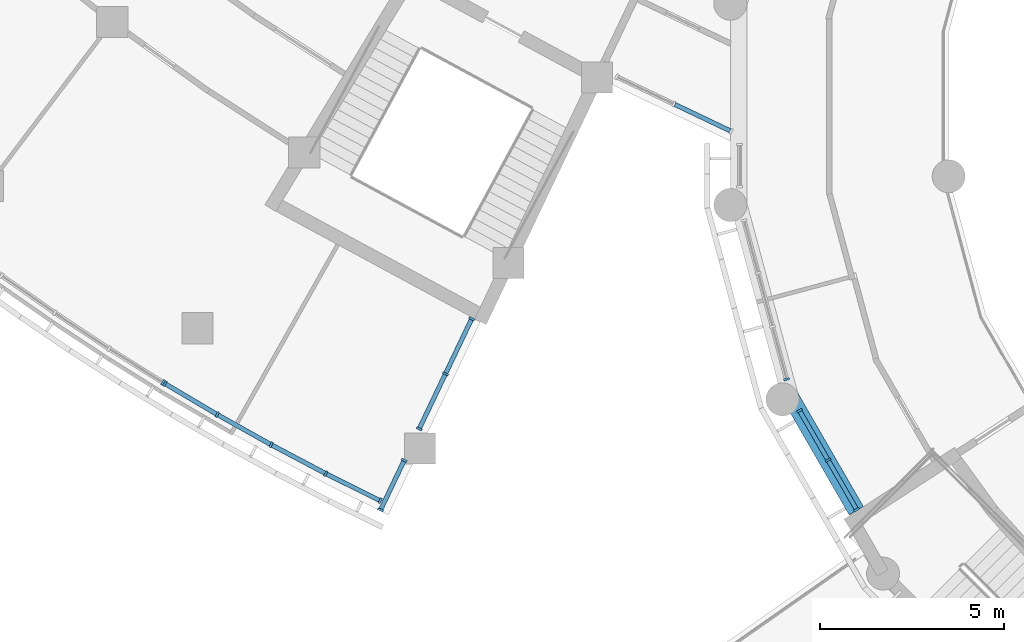
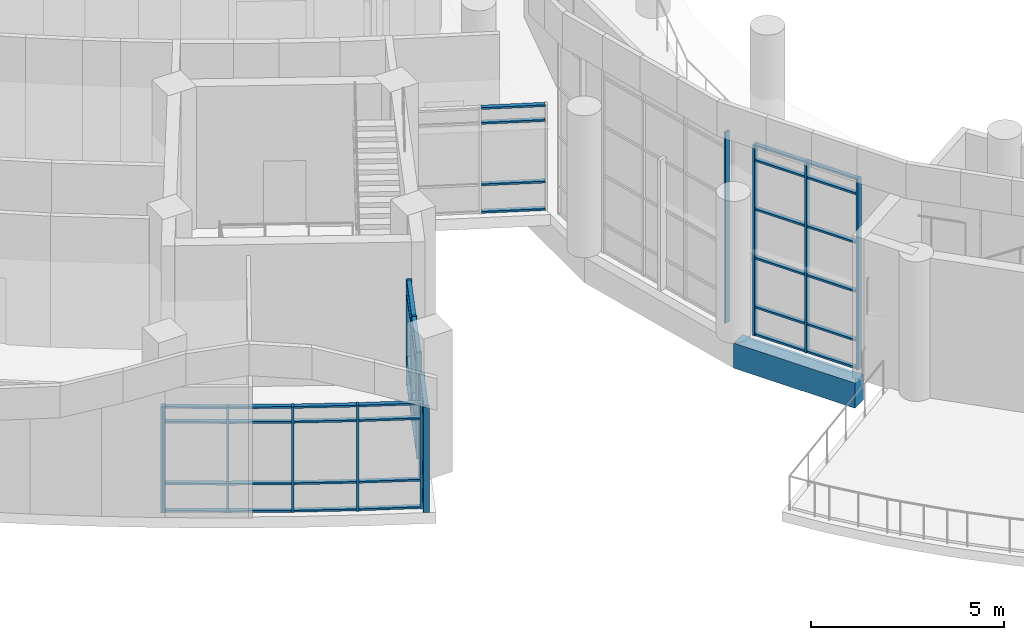
# One storey, part 11 of 136: 59 members, 1 beam, 7 elements without a shape of their own.
"""IFC4 building model written with IfcOpenShell, lengths in metres."""

from ifc_helpers import new_model, si_unit, direction, frame, origin, origin_2d, place, context, subcontext, project, spatial, rectangle, extrude, material, material_profile, profile_set, type_object, element, aggregate, save


model = new_model("IFC4")

# Units and contexts
model_context = context("Model", 3, precision=1e-05, world=origin(), true_north=direction((0.0, 1.0)))
body_context = subcontext(model_context, "Body", "Model", "MODEL_VIEW")
ifc_project = project(units=[si_unit("LENGTHUNIT", "METRE"), si_unit("AREAUNIT", "SQUARE_METRE"), si_unit("VOLUMEUNIT", "CUBIC_METRE"), si_unit("PLANEANGLEUNIT", "RADIAN"), si_unit("MASSUNIT", "GRAM", prefix="KILO")], contexts=[model_context])

# Site, building, storey
site_placement = place(None, origin())
site = spatial("IfcSite", under=ifc_project, at=site_placement, CompositionType="ELEMENT")
building_placement = place(site_placement, origin())
building = spatial("IfcBuilding", under=site, at=building_placement, Name="Bougainvillea Quay General Hospital", CompositionType="ELEMENT")
storey_placement = place(building_placement, frame((0.0, 0.0, 5.39990234375)))
storey = spatial("IfcBuildingStorey", under=building, at=storey_placement, Name="L01", CompositionType="ELEMENT", Elevation=5.39990234375)

# Curtain wall, members
ifc_material_1 = material(Name="Aluminium curtain wall system, powder-coated glazed", Category="aluminium")
curtain_wall_type_1 = type_object("IfcCurtainWallType", Name="Unitised curtain wall CW-2100", PredefinedType="NOTDEFINED", material=ifc_material_1)
curtain_wall_1_placement = place(storey_placement, origin())
curtain_wall_1 = element("IfcCurtainWall", 1, at=curtain_wall_1_placement, inside=storey, type_object=curtain_wall_type_1, Name="CW-W01 a01b0", PredefinedType="NOTDEFINED")
ifc_material_2 = material(Name="Aluminium mullion, powder-coated charcoal", Category="aluminium")
ifc_material_profile_1 = material_profile(ifc_material_2, rectangle(XDim=0.159912109375, YDim=0.06005859375, at=origin_2d()))
ifc_profile_set_1 = profile_set([ifc_material_profile_1], Name="Aluminium mullion, powder-coated charcoal")
member_type_1 = type_object("IfcMemberType", Name="Curtain wall mullion 160x60", PredefinedType="MULLION", material=ifc_profile_set_1)
member_1_placement = place(storey_placement, frame((78.83935546875, 63.204833984375, 0.0), z_axis=(0.0, 0.0, 1.0), x_axis=(-0.445731386172, -0.895166761772, 0.0)))
member_1 = element("IfcMember", 2, at=member_1_placement, type_object=member_type_1, Name="CW-W01 mullion 1", PredefinedType="MULLION", context=body_context, shape_type="SweptSolid", body=[
    extrude(rectangle(XDim=0.159912109375, YDim=0.06005859375, at=origin_2d()), origin(), (0.0, 0.0, 1.0), 3.35009765625),
])
member_2_placement = place(storey_placement, frame((77.358642578125, 63.94189453125, 0.0), z_axis=(0.0, 0.0, 1.0), x_axis=(-0.456505398476, -0.889720642203, 0.0)))
member_2 = element("IfcMember", 3, at=member_2_placement, type_object=member_type_1, Name="CW-W01 mullion 2", PredefinedType="MULLION", context=body_context, shape_type="SweptSolid", body=[
    extrude(rectangle(XDim=0.159912109375, YDim=0.06005859375, at=origin_2d()), origin(), (0.0, 0.0, 1.0), 3.35009765625),
])
member_3_placement = place(storey_placement, frame((75.869873046875, 64.728759765625, 0.0), z_axis=(0.0, 0.0, 1.0), x_axis=(-0.477852269892, -0.878440213195, 0.0)))
member_3 = element("IfcMember", 4, at=member_3_placement, type_object=member_type_1, Name="CW-W01 mullion 3", PredefinedType="MULLION", context=body_context, shape_type="SweptSolid", body=[
    extrude(rectangle(XDim=0.159912109375, YDim=0.06005859375, at=origin_2d()), origin(), (0.0, 0.0, 1.0), 3.35009765625),
])
member_4_placement = place(storey_placement, frame((74.400390625, 65.55126953125, 0.0), z_axis=(0.0, 0.0, 1.0), x_axis=(-0.498920583541, -0.866647708887, 0.0)))
member_4 = element("IfcMember", 5, at=member_4_placement, type_object=member_type_1, Name="CW-W01 mullion 4", PredefinedType="MULLION", context=body_context, shape_type="SweptSolid", body=[
    extrude(rectangle(XDim=0.159912109375, YDim=0.06005859375, at=origin_2d()), origin(), (0.0, 0.0, 1.0), 3.35009765625),
])
member_5_placement = place(storey_placement, frame((72.976806640625, 66.393798828125, 0.0), z_axis=(0.0, 0.0, 1.0), x_axis=(-0.509346436695, -0.860561565158, 0.0)))
member_5 = element("IfcMember", 6, at=member_5_placement, type_object=member_type_1, Name="CW-W01 mullion 5", PredefinedType="MULLION", context=body_context, shape_type="SweptSolid", body=[
    extrude(rectangle(XDim=0.159912109375, YDim=0.06005859375, at=origin_2d()), origin(), (0.0, 0.0, 1.0), 3.35009765625),
])

# Curtain wall, member
curtain_wall_2_placement = place(storey_placement, origin())
curtain_wall_2 = element("IfcCurtainWall", 7, at=curtain_wall_2_placement, inside=storey, type_object=curtain_wall_type_1, Name="CW-W02 a01b1", PredefinedType="NOTDEFINED")
member_6_placement = place(storey_placement, frame((72.925537109375, 66.425048828125, 0.0), z_axis=(0.0, 0.0, 1.0), x_axis=(-0.530488991968, -0.847691824545, 0.0)))
member_6 = element("IfcMember", 8, at=member_6_placement, type_object=member_type_1, Name="CW-W02 mullion 1", PredefinedType="MULLION", context=body_context, shape_type="SweptSolid", body=[
    extrude(rectangle(XDim=0.159912109375, YDim=0.06005859375, at=origin_2d()), origin(), (0.0, 0.0, 1.0), 3.35009765625),
])
aggregate(curtain_wall_2, [member_6])

# Curtain wall, members
curtain_wall_type_2 = type_object("IfcCurtainWallType", Name="Unitised curtain wall CW-1555", PredefinedType="NOTDEFINED", material=ifc_material_1)
curtain_wall_3_placement = place(storey_placement, origin())
curtain_wall_3 = element("IfcCurtainWall", 9, at=curtain_wall_3_placement, inside=storey, type_object=curtain_wall_type_2, Name="CW-AE 00", PredefinedType="NOTDEFINED")
member_7_placement = place(storey_placement, frame((78.851318359375, 62.95361328125, 0.0), z_axis=(0.0, 0.0, 1.0), x_axis=(-0.902576055431, 0.430530445105, 0.0)))
member_7 = element("IfcMember", 10, at=member_7_placement, type_object=member_type_1, Name="CW-AE mullion 1", PredefinedType="MULLION", context=body_context, shape_type="SweptSolid", body=[
    extrude(rectangle(XDim=0.159912109375, YDim=0.06005859375, at=origin_2d()), origin(), (0.0, 0.0, 1.0), 3.35009765625),
])
member_8_placement = place(storey_placement, frame((79.494873046875, 64.302978515625, 0.0), z_axis=(0.0, 0.0, 1.0), x_axis=(-0.902576055431, 0.430530445105, 0.0)))
member_8 = element("IfcMember", 11, at=member_8_placement, type_object=member_type_1, Name="CW-AE mullion 2", PredefinedType="MULLION", context=body_context, shape_type="SweptSolid", body=[
    extrude(rectangle(XDim=0.159912109375, YDim=0.06005859375, at=origin_2d()), origin(), (0.0, 0.0, 1.0), 3.35009765625),
])

curtain_wall_type_3 = type_object("IfcCurtainWallType", Name="Unitised curtain wall CW-1691", PredefinedType="NOTDEFINED", material=ifc_material_1)
curtain_wall_4_placement = place(storey_placement, origin())
curtain_wall_4 = element("IfcCurtainWall", 12, at=curtain_wall_4_placement, inside=storey, type_object=curtain_wall_type_3, Name="CW-AE 01", PredefinedType="NOTDEFINED")
member_9_placement = place(storey_placement, frame((79.90380859375, 65.160400390625, 0.0), z_axis=(0.0, 0.0, 1.0), x_axis=(-0.902576055431, 0.430530445105, 0.0)))
member_9 = element("IfcMember", 13, at=member_9_placement, type_object=member_type_1, Name="CW-AE mullion 1", PredefinedType="MULLION", context=body_context, shape_type="SweptSolid", body=[
    extrude(rectangle(XDim=0.159912109375, YDim=0.06005859375, at=origin_2d()), origin(), (0.0, 0.0, 1.0), 3.35009765625),
])
member_10_placement = place(storey_placement, frame((80.61865234375, 66.658935546875, 0.0), z_axis=(0.0, 0.0, 1.0), x_axis=(-0.902576055431, 0.430530445105, 0.0)))
member_10 = element("IfcMember", 14, at=member_10_placement, type_object=member_type_1, Name="CW-AE mullion 2", PredefinedType="MULLION", context=body_context, shape_type="SweptSolid", body=[
    extrude(rectangle(XDim=0.159912109375, YDim=0.06005859375, at=origin_2d()), origin(), (0.0, 0.0, 1.0), 3.35009765625),
])
member_11_placement = place(storey_placement, frame((81.33349609375, 68.157470703125, 0.0), z_axis=(0.0, 0.0, 1.0), x_axis=(-0.902576055431, 0.430530445105, 0.0)))
member_11 = element("IfcMember", 15, at=member_11_placement, type_object=member_type_1, Name="CW-AE mullion 3", PredefinedType="MULLION", context=body_context, shape_type="SweptSolid", body=[
    extrude(rectangle(XDim=0.159912109375, YDim=0.06005859375, at=origin_2d()), origin(), (0.0, 0.0, 1.0), 3.35009765625),
])

# Curtain wall, member
curtain_wall_type_4 = type_object("IfcCurtainWallType", Name="Unitised curtain wall CW-1514", PredefinedType="NOTDEFINED", material=ifc_material_1)
curtain_wall_5_placement = place(storey_placement, origin())
curtain_wall_5 = element("IfcCurtainWall", 16, at=curtain_wall_5_placement, inside=storey, type_object=curtain_wall_type_4, Name="CW-D 00", PredefinedType="NOTDEFINED")
member_12_placement = place(storey_placement, frame((89.9111328125, 66.51171875, 0.0), z_axis=(0.0, 0.0, 1.0), x_axis=(0.965916292974, 0.258854621298, 0.0)))
member_12 = element("IfcMember", 17, at=member_12_placement, type_object=member_type_1, Name="CW-D mullion 4", PredefinedType="MULLION", context=body_context, shape_type="SweptSolid", body=[
    extrude(rectangle(XDim=0.159912109375, YDim=0.06005859375, at=origin_2d()), origin(), (0.0, 0.0, 1.0), 6.050048828125),
])
aggregate(curtain_wall_5, [member_12])

# Curtain wall, members
curtain_wall_type_5 = type_object("IfcCurtainWallType", Name="Unitised curtain wall CW-1585", PredefinedType="NOTDEFINED", material=ifc_material_1)
curtain_wall_6_placement = place(storey_placement, origin())
curtain_wall_6 = element("IfcCurtainWall", 18, at=curtain_wall_6_placement, inside=storey, type_object=curtain_wall_type_5, Name="CW-D 00", PredefinedType="NOTDEFINED")
member_13_placement = place(storey_placement, frame((90.265380859375, 65.656005859375, 0.0), z_axis=(0.0, 0.0, 1.0), x_axis=(0.866045865692, 0.499964557262, 0.0)))
member_13 = element("IfcMember", 19, at=member_13_placement, type_object=member_type_1, Name="CW-D mullion 1", PredefinedType="MULLION", context=body_context, shape_type="SweptSolid", body=[
    extrude(rectangle(XDim=0.159912109375, YDim=0.06005859375, at=origin_2d()), origin(), (0.0, 0.0, 1.0), 6.050048828125),
])
member_14_placement = place(storey_placement, frame((91.04296875, 64.309326171875, 0.0), z_axis=(0.0, 0.0, 1.0), x_axis=(0.866045865692, 0.499964557262, 0.0)))
member_14 = element("IfcMember", 20, at=member_14_placement, type_object=member_type_1, Name="CW-D mullion 2", PredefinedType="MULLION", context=body_context, shape_type="SweptSolid", body=[
    extrude(rectangle(XDim=0.159912109375, YDim=0.06005859375, at=origin_2d()), origin(), (0.0, 0.0, 1.0), 6.050048828125),
])
member_15_placement = place(storey_placement, frame((91.8203125, 62.962646484375, 0.0), z_axis=(0.0, 0.0, 1.0), x_axis=(0.866045865692, 0.499964557262, 0.0)))
member_15 = element("IfcMember", 21, at=member_15_placement, type_object=member_type_1, Name="CW-D mullion 3", PredefinedType="MULLION", context=body_context, shape_type="SweptSolid", body=[
    extrude(rectangle(XDim=0.159912109375, YDim=0.06005859375, at=origin_2d()), origin(), (0.0, 0.0, 1.0), 6.050048828125),
])

# Member
ifc_material_3 = material(Name="Aluminium transom, powder-coated charcoal", Category="aluminium")
ifc_material_profile_2 = material_profile(ifc_material_3, rectangle(XDim=0.1201171875, YDim=0.06005859375, at=origin_2d()))
ifc_profile_set_2 = profile_set([ifc_material_profile_2], Name="Aluminium transom, powder-coated charcoal")
member_type_2 = type_object("IfcMemberType", Name="Curtain wall transom 120x60", PredefinedType="USERDEFINED", material=ifc_profile_set_2)
member_16_placement = place(storey_placement, frame((78.8125, 63.218017578125, 0.030029296875), z_axis=(-0.895130546745, 0.445804109765, 0.0), x_axis=(-0.445804109765, -0.895130546745, 0.0)))
member_16 = element("IfcMember", 22, at=member_16_placement, type_object=member_type_2, Name="CW-W01 transom 1.1", ObjectType="TRANSOM", PredefinedType="USERDEFINED", context=body_context, shape_type="SweptSolid", body=[
    extrude(rectangle(XDim=0.1201171875, YDim=0.06005859375, at=origin_2d()), origin(), (0.0, 0.0, 1.0), 1.59423828125),
])

member_17_placement = place(storey_placement, frame((78.8125, 63.218017578125, 0.900146484375), z_axis=(-0.895130546745, 0.445804109765, 0.0), x_axis=(-0.445804109765, -0.895130546745, 0.0)))
member_17 = element("IfcMember", 23, at=member_17_placement, type_object=member_type_2, Name="CW-W01 transom 1.2", ObjectType="TRANSOM", PredefinedType="USERDEFINED", context=body_context, shape_type="SweptSolid", body=[
    extrude(rectangle(XDim=0.1201171875, YDim=0.06005859375, at=origin_2d()), origin(), (0.0, 0.0, 1.0), 1.59423828125),
])

member_18_placement = place(storey_placement, frame((78.8125, 63.218017578125, 2.85009765625), z_axis=(-0.895130546745, 0.445804109765, 0.0), x_axis=(-0.445804109765, -0.895130546745, 0.0)))
member_18 = element("IfcMember", 24, at=member_18_placement, type_object=member_type_2, Name="CW-W01 transom 1.3", ObjectType="TRANSOM", PredefinedType="USERDEFINED", context=body_context, shape_type="SweptSolid", body=[
    extrude(rectangle(XDim=0.1201171875, YDim=0.06005859375, at=origin_2d()), origin(), (0.0, 0.0, 1.0), 1.59423828125),
])

member_19_placement = place(storey_placement, frame((78.8125, 63.218017578125, 3.320068359375), z_axis=(-0.895130546745, 0.445804109765, 0.0), x_axis=(-0.445804109765, -0.895130546745, 0.0)))
member_19 = element("IfcMember", 25, at=member_19_placement, type_object=member_type_2, Name="CW-W01 transom 1.4", ObjectType="TRANSOM", PredefinedType="USERDEFINED", context=body_context, shape_type="SweptSolid", body=[
    extrude(rectangle(XDim=0.1201171875, YDim=0.06005859375, at=origin_2d()), origin(), (0.0, 0.0, 1.0), 1.59423828125),
])

member_20_placement = place(storey_placement, frame((77.332275390625, 63.9560546875, 0.030029296875), z_axis=(-0.884160582564, 0.46718311639, 0.0), x_axis=(-0.46718311639, -0.884160582564, 0.0)))
member_20 = element("IfcMember", 26, at=member_20_placement, type_object=member_type_2, Name="CW-W01 transom 2.1", ObjectType="TRANSOM", PredefinedType="USERDEFINED", context=body_context, shape_type="SweptSolid", body=[
    extrude(rectangle(XDim=0.1201171875, YDim=0.06005859375, at=origin_2d()), origin(), (0.0, 0.0, 1.0), 1.624267578125),
])

member_21_placement = place(storey_placement, frame((77.332275390625, 63.9560546875, 0.900146484375), z_axis=(-0.884160582564, 0.46718311639, 0.0), x_axis=(-0.46718311639, -0.884160582564, 0.0)))
member_21 = element("IfcMember", 27, at=member_21_placement, type_object=member_type_2, Name="CW-W01 transom 2.2", ObjectType="TRANSOM", PredefinedType="USERDEFINED", context=body_context, shape_type="SweptSolid", body=[
    extrude(rectangle(XDim=0.1201171875, YDim=0.06005859375, at=origin_2d()), origin(), (0.0, 0.0, 1.0), 1.624267578125),
])

member_22_placement = place(storey_placement, frame((77.332275390625, 63.9560546875, 2.85009765625), z_axis=(-0.884160582564, 0.46718311639, 0.0), x_axis=(-0.46718311639, -0.884160582564, 0.0)))
member_22 = element("IfcMember", 28, at=member_22_placement, type_object=member_type_2, Name="CW-W01 transom 2.3", ObjectType="TRANSOM", PredefinedType="USERDEFINED", context=body_context, shape_type="SweptSolid", body=[
    extrude(rectangle(XDim=0.1201171875, YDim=0.06005859375, at=origin_2d()), origin(), (0.0, 0.0, 1.0), 1.624267578125),
])

member_23_placement = place(storey_placement, frame((77.332275390625, 63.9560546875, 3.320068359375), z_axis=(-0.884160582564, 0.46718311639, 0.0), x_axis=(-0.46718311639, -0.884160582564, 0.0)))
member_23 = element("IfcMember", 29, at=member_23_placement, type_object=member_type_2, Name="CW-W01 transom 2.4", ObjectType="TRANSOM", PredefinedType="USERDEFINED", context=body_context, shape_type="SweptSolid", body=[
    extrude(rectangle(XDim=0.1201171875, YDim=0.06005859375, at=origin_2d()), origin(), (0.0, 0.0, 1.0), 1.624267578125),
])

member_24_placement = place(storey_placement, frame((75.84375, 64.743408203125, 0.030029296875), z_axis=(-0.872621342538, 0.48839737156, 0.0), x_axis=(-0.48839737156, -0.872621342538, 0.0)))
member_24 = element("IfcMember", 30, at=member_24_placement, type_object=member_type_2, Name="CW-W01 transom 3.1", ObjectType="TRANSOM", PredefinedType="USERDEFINED", context=body_context, shape_type="SweptSolid", body=[
    extrude(rectangle(XDim=0.1201171875, YDim=0.06005859375, at=origin_2d()), origin(), (0.0, 0.0, 1.0), 1.6240234375),
])

member_25_placement = place(storey_placement, frame((75.84375, 64.743408203125, 0.900146484375), z_axis=(-0.872621342538, 0.48839737156, 0.0), x_axis=(-0.48839737156, -0.872621342538, 0.0)))
member_25 = element("IfcMember", 31, at=member_25_placement, type_object=member_type_2, Name="CW-W01 transom 3.2", ObjectType="TRANSOM", PredefinedType="USERDEFINED", context=body_context, shape_type="SweptSolid", body=[
    extrude(rectangle(XDim=0.1201171875, YDim=0.06005859375, at=origin_2d()), origin(), (0.0, 0.0, 1.0), 1.6240234375),
])

member_26_placement = place(storey_placement, frame((75.84375, 64.743408203125, 2.85009765625), z_axis=(-0.872621342538, 0.48839737156, 0.0), x_axis=(-0.48839737156, -0.872621342538, 0.0)))
member_26 = element("IfcMember", 32, at=member_26_placement, type_object=member_type_2, Name="CW-W01 transom 3.3", ObjectType="TRANSOM", PredefinedType="USERDEFINED", context=body_context, shape_type="SweptSolid", body=[
    extrude(rectangle(XDim=0.1201171875, YDim=0.06005859375, at=origin_2d()), origin(), (0.0, 0.0, 1.0), 1.6240234375),
])

member_27_placement = place(storey_placement, frame((75.84375, 64.743408203125, 3.320068359375), z_axis=(-0.872621342538, 0.48839737156, 0.0), x_axis=(-0.48839737156, -0.872621342538, 0.0)))
member_27 = element("IfcMember", 33, at=member_27_placement, type_object=member_type_2, Name="CW-W01 transom 3.4", ObjectType="TRANSOM", PredefinedType="USERDEFINED", context=body_context, shape_type="SweptSolid", body=[
    extrude(rectangle(XDim=0.1201171875, YDim=0.06005859375, at=origin_2d()), origin(), (0.0, 0.0, 1.0), 1.6240234375),
])

member_28_placement = place(storey_placement, frame((74.37451171875, 65.566650390625, 0.030029296875), z_axis=(-0.860545172696, 0.509374131409, 0.0), x_axis=(-0.509374131409, -0.860545172696, 0.0)))
member_28 = element("IfcMember", 34, at=member_28_placement, type_object=member_type_2, Name="CW-W01 transom 4.1", ObjectType="TRANSOM", PredefinedType="USERDEFINED", context=body_context, shape_type="SweptSolid", body=[
    extrude(rectangle(XDim=0.1201171875, YDim=0.06005859375, at=origin_2d()), origin(), (0.0, 0.0, 1.0), 1.59423828125),
])

member_29_placement = place(storey_placement, frame((74.37451171875, 65.566650390625, 0.900146484375), z_axis=(-0.860545172696, 0.509374131409, 0.0), x_axis=(-0.509374131409, -0.860545172696, 0.0)))
member_29 = element("IfcMember", 35, at=member_29_placement, type_object=member_type_2, Name="CW-W01 transom 4.2", ObjectType="TRANSOM", PredefinedType="USERDEFINED", context=body_context, shape_type="SweptSolid", body=[
    extrude(rectangle(XDim=0.1201171875, YDim=0.06005859375, at=origin_2d()), origin(), (0.0, 0.0, 1.0), 1.59423828125),
])

member_30_placement = place(storey_placement, frame((74.37451171875, 65.566650390625, 2.85009765625), z_axis=(-0.860545172696, 0.509374131409, 0.0), x_axis=(-0.509374131409, -0.860545172696, 0.0)))
member_30 = element("IfcMember", 36, at=member_30_placement, type_object=member_type_2, Name="CW-W01 transom 4.3", ObjectType="TRANSOM", PredefinedType="USERDEFINED", context=body_context, shape_type="SweptSolid", body=[
    extrude(rectangle(XDim=0.1201171875, YDim=0.06005859375, at=origin_2d()), origin(), (0.0, 0.0, 1.0), 1.59423828125),
])

member_31_placement = place(storey_placement, frame((74.37451171875, 65.566650390625, 3.320068359375), z_axis=(-0.860545172696, 0.509374131409, 0.0), x_axis=(-0.509374131409, -0.860545172696, 0.0)))
member_31 = element("IfcMember", 37, at=member_31_placement, type_object=member_type_2, Name="CW-W01 transom 4.4", ObjectType="TRANSOM", PredefinedType="USERDEFINED", context=body_context, shape_type="SweptSolid", body=[
    extrude(rectangle(XDim=0.1201171875, YDim=0.06005859375, at=origin_2d()), origin(), (0.0, 0.0, 1.0), 1.59423828125),
])

aggregate(curtain_wall_1, [member_1, member_2, member_3, member_4, member_5, member_16, member_17, member_18, member_19, member_20, member_21, member_22, member_23, member_24, member_25, member_26, member_27, member_28, member_29, member_30, member_31])

member_32_placement = place(storey_placement, frame((78.8642578125, 62.980712890625, 0.030029296875), z_axis=(0.430461862205, 0.902608766403, 0.0), x_axis=(-0.902608766403, 0.430461862205, 0.0)))
member_32 = element("IfcMember", 38, at=member_32_placement, type_object=member_type_2, Name="CW-AE transom 1.1", ObjectType="TRANSOM", PredefinedType="USERDEFINED", context=body_context, shape_type="SweptSolid", body=[
    extrude(rectangle(XDim=0.1201171875, YDim=0.06005859375, at=origin_2d()), origin(), (0.0, 0.0, 1.0), 1.434814453125),
])

member_33_placement = place(storey_placement, frame((78.8642578125, 62.980712890625, 0.900146484375), z_axis=(0.430461862205, 0.902608766403, 0.0), x_axis=(-0.902608766403, 0.430461862205, 0.0)))
member_33 = element("IfcMember", 39, at=member_33_placement, type_object=member_type_2, Name="CW-AE transom 1.2", ObjectType="TRANSOM", PredefinedType="USERDEFINED", context=body_context, shape_type="SweptSolid", body=[
    extrude(rectangle(XDim=0.1201171875, YDim=0.06005859375, at=origin_2d()), origin(), (0.0, 0.0, 1.0), 1.434814453125),
])

member_34_placement = place(storey_placement, frame((78.8642578125, 62.980712890625, 2.85009765625), z_axis=(0.430461862205, 0.902608766403, 0.0), x_axis=(-0.902608766403, 0.430461862205, 0.0)))
member_34 = element("IfcMember", 40, at=member_34_placement, type_object=member_type_2, Name="CW-AE transom 1.3", ObjectType="TRANSOM", PredefinedType="USERDEFINED", context=body_context, shape_type="SweptSolid", body=[
    extrude(rectangle(XDim=0.1201171875, YDim=0.06005859375, at=origin_2d()), origin(), (0.0, 0.0, 1.0), 1.434814453125),
])

member_35_placement = place(storey_placement, frame((78.8642578125, 62.980712890625, 3.320068359375), z_axis=(0.430461862205, 0.902608766403, 0.0), x_axis=(-0.902608766403, 0.430461862205, 0.0)))
member_35 = element("IfcMember", 41, at=member_35_placement, type_object=member_type_2, Name="CW-AE transom 1.4", ObjectType="TRANSOM", PredefinedType="USERDEFINED", context=body_context, shape_type="SweptSolid", body=[
    extrude(rectangle(XDim=0.1201171875, YDim=0.06005859375, at=origin_2d()), origin(), (0.0, 0.0, 1.0), 1.434814453125),
])

aggregate(curtain_wall_3, [member_7, member_8, member_32, member_33, member_34, member_35])

member_36_placement = place(storey_placement, frame((79.916748046875, 65.1875, 0.030029296875), z_axis=(0.430537538796, 0.902572671693, 0.0), x_axis=(-0.902572671693, 0.430537538796, 0.0)))
member_36 = element("IfcMember", 42, at=member_36_placement, type_object=member_type_2, Name="CW-AE transom 1.1", ObjectType="TRANSOM", PredefinedType="USERDEFINED", context=body_context, shape_type="SweptSolid", body=[
    extrude(rectangle(XDim=0.1201171875, YDim=0.06005859375, at=origin_2d()), origin(), (0.0, 0.0, 1.0), 1.600341796875),
])

member_37_placement = place(storey_placement, frame((79.916748046875, 65.1875, 0.900146484375), z_axis=(0.430537538796, 0.902572671693, 0.0), x_axis=(-0.902572671693, 0.430537538796, 0.0)))
member_37 = element("IfcMember", 43, at=member_37_placement, type_object=member_type_2, Name="CW-AE transom 1.2", ObjectType="TRANSOM", PredefinedType="USERDEFINED", context=body_context, shape_type="SweptSolid", body=[
    extrude(rectangle(XDim=0.1201171875, YDim=0.06005859375, at=origin_2d()), origin(), (0.0, 0.0, 1.0), 1.600341796875),
])

member_38_placement = place(storey_placement, frame((79.916748046875, 65.1875, 2.85009765625), z_axis=(0.430537538796, 0.902572671693, 0.0), x_axis=(-0.902572671693, 0.430537538796, 0.0)))
member_38 = element("IfcMember", 44, at=member_38_placement, type_object=member_type_2, Name="CW-AE transom 1.3", ObjectType="TRANSOM", PredefinedType="USERDEFINED", context=body_context, shape_type="SweptSolid", body=[
    extrude(rectangle(XDim=0.1201171875, YDim=0.06005859375, at=origin_2d()), origin(), (0.0, 0.0, 1.0), 1.600341796875),
])

member_39_placement = place(storey_placement, frame((79.916748046875, 65.1875, 3.320068359375), z_axis=(0.430537538796, 0.902572671693, 0.0), x_axis=(-0.902572671693, 0.430537538796, 0.0)))
member_39 = element("IfcMember", 45, at=member_39_placement, type_object=member_type_2, Name="CW-AE transom 1.4", ObjectType="TRANSOM", PredefinedType="USERDEFINED", context=body_context, shape_type="SweptSolid", body=[
    extrude(rectangle(XDim=0.1201171875, YDim=0.06005859375, at=origin_2d()), origin(), (0.0, 0.0, 1.0), 1.600341796875),
])

member_40_placement = place(storey_placement, frame((80.631591796875, 66.68603515625, 0.030029296875), z_axis=(0.430537538796, 0.902572671693, 0.0), x_axis=(-0.902572671693, 0.430537538796, 0.0)))
member_40 = element("IfcMember", 46, at=member_40_placement, type_object=member_type_2, Name="CW-AE transom 2.1", ObjectType="TRANSOM", PredefinedType="USERDEFINED", context=body_context, shape_type="SweptSolid", body=[
    extrude(rectangle(XDim=0.1201171875, YDim=0.06005859375, at=origin_2d()), origin(), (0.0, 0.0, 1.0), 1.600341796875),
])

member_41_placement = place(storey_placement, frame((80.631591796875, 66.68603515625, 0.900146484375), z_axis=(0.430537538796, 0.902572671693, 0.0), x_axis=(-0.902572671693, 0.430537538796, 0.0)))
member_41 = element("IfcMember", 47, at=member_41_placement, type_object=member_type_2, Name="CW-AE transom 2.2", ObjectType="TRANSOM", PredefinedType="USERDEFINED", context=body_context, shape_type="SweptSolid", body=[
    extrude(rectangle(XDim=0.1201171875, YDim=0.06005859375, at=origin_2d()), origin(), (0.0, 0.0, 1.0), 1.600341796875),
])

member_42_placement = place(storey_placement, frame((80.631591796875, 66.68603515625, 2.85009765625), z_axis=(0.430537538796, 0.902572671693, 0.0), x_axis=(-0.902572671693, 0.430537538796, 0.0)))
member_42 = element("IfcMember", 48, at=member_42_placement, type_object=member_type_2, Name="CW-AE transom 2.3", ObjectType="TRANSOM", PredefinedType="USERDEFINED", context=body_context, shape_type="SweptSolid", body=[
    extrude(rectangle(XDim=0.1201171875, YDim=0.06005859375, at=origin_2d()), origin(), (0.0, 0.0, 1.0), 1.600341796875),
])

member_43_placement = place(storey_placement, frame((80.631591796875, 66.68603515625, 3.320068359375), z_axis=(0.430537538796, 0.902572671693, 0.0), x_axis=(-0.902572671693, 0.430537538796, 0.0)))
member_43 = element("IfcMember", 49, at=member_43_placement, type_object=member_type_2, Name="CW-AE transom 2.4", ObjectType="TRANSOM", PredefinedType="USERDEFINED", context=body_context, shape_type="SweptSolid", body=[
    extrude(rectangle(XDim=0.1201171875, YDim=0.06005859375, at=origin_2d()), origin(), (0.0, 0.0, 1.0), 1.600341796875),
])

aggregate(curtain_wall_4, [member_9, member_10, member_11, member_36, member_37, member_38, member_39, member_40, member_41, member_42, member_43])

# Curtain wall, members
curtain_wall_type_6 = type_object("IfcCurtainWallType", Name="Unitised curtain wall CW-1757", PredefinedType="NOTDEFINED", material=ifc_material_1)
curtain_wall_7_placement = place(storey_placement, origin())
curtain_wall_7 = element("IfcCurtainWall", 50, at=curtain_wall_7_placement, inside=storey, type_object=curtain_wall_type_6, Name="CW-AE 00", PredefinedType="NOTDEFINED")
member_44_placement = place(storey_placement, frame((86.869140625, 73.998046875, 0.030029296875), z_axis=(0.902592298262, -0.430496391527, 0.0), x_axis=(0.430496391527, 0.902592298262, 0.0)))
member_44 = element("IfcMember", 51, at=member_44_placement, type_object=member_type_2, Name="CW-AE transom 2.1", ObjectType="TRANSOM", PredefinedType="USERDEFINED", context=body_context, shape_type="SweptSolid", body=[
    extrude(rectangle(XDim=0.1201171875, YDim=0.06005859375, at=origin_2d()), origin(), (0.0, 0.0, 1.0), 1.666748046875),
])
member_45_placement = place(storey_placement, frame((86.869140625, 73.998046875, 0.900146484375), z_axis=(0.902592298262, -0.430496391527, 0.0), x_axis=(0.430496391527, 0.902592298262, 0.0)))
member_45 = element("IfcMember", 52, at=member_45_placement, type_object=member_type_2, Name="CW-AE transom 2.2", ObjectType="TRANSOM", PredefinedType="USERDEFINED", context=body_context, shape_type="SweptSolid", body=[
    extrude(rectangle(XDim=0.1201171875, YDim=0.06005859375, at=origin_2d()), origin(), (0.0, 0.0, 1.0), 1.666748046875),
])
member_46_placement = place(storey_placement, frame((86.869140625, 73.998046875, 2.85009765625), z_axis=(0.902592298262, -0.430496391527, 0.0), x_axis=(0.430496391527, 0.902592298262, 0.0)))
member_46 = element("IfcMember", 53, at=member_46_placement, type_object=member_type_2, Name="CW-AE transom 2.3", ObjectType="TRANSOM", PredefinedType="USERDEFINED", context=body_context, shape_type="SweptSolid", body=[
    extrude(rectangle(XDim=0.1201171875, YDim=0.06005859375, at=origin_2d()), origin(), (0.0, 0.0, 1.0), 1.666748046875),
])
member_47_placement = place(storey_placement, frame((86.869140625, 73.998046875, 3.320068359375), z_axis=(0.902592298262, -0.430496391527, 0.0), x_axis=(0.430496391527, 0.902592298262, 0.0)))
member_47 = element("IfcMember", 54, at=member_47_placement, type_object=member_type_2, Name="CW-AE transom 2.4", ObjectType="TRANSOM", PredefinedType="USERDEFINED", context=body_context, shape_type="SweptSolid", body=[
    extrude(rectangle(XDim=0.1201171875, YDim=0.06005859375, at=origin_2d()), origin(), (0.0, 0.0, 1.0), 1.666748046875),
])
aggregate(curtain_wall_7, [member_44, member_45, member_46, member_47])

# Member
member_48_placement = place(storey_placement, frame((90.280517578125, 65.6298828125, 0.030029296875), z_axis=(0.499986386223, -0.866033263559, 0.0), x_axis=(0.866033263559, 0.499986386223, 0.0)))
member_48 = element("IfcMember", 55, at=member_48_placement, type_object=member_type_2, Name="CW-D transom 1.1", ObjectType="TRANSOM", PredefinedType="USERDEFINED", context=body_context, shape_type="SweptSolid", body=[
    extrude(rectangle(XDim=0.1201171875, YDim=0.06005859375, at=origin_2d()), origin(), (0.0, 0.0, 1.0), 1.49462890625),
])

member_49_placement = place(storey_placement, frame((90.280517578125, 65.6298828125, 0.900146484375), z_axis=(0.499986386223, -0.866033263559, 0.0), x_axis=(0.866033263559, 0.499986386223, 0.0)))
member_49 = element("IfcMember", 56, at=member_49_placement, type_object=member_type_2, Name="CW-D transom 1.2", ObjectType="TRANSOM", PredefinedType="USERDEFINED", context=body_context, shape_type="SweptSolid", body=[
    extrude(rectangle(XDim=0.1201171875, YDim=0.06005859375, at=origin_2d()), origin(), (0.0, 0.0, 1.0), 1.49462890625),
])

member_50_placement = place(storey_placement, frame((90.280517578125, 65.6298828125, 2.4501953125), z_axis=(0.499986386223, -0.866033263559, 0.0), x_axis=(0.866033263559, 0.499986386223, 0.0)))
member_50 = element("IfcMember", 57, at=member_50_placement, type_object=member_type_2, Name="CW-D transom 1.3", ObjectType="TRANSOM", PredefinedType="USERDEFINED", context=body_context, shape_type="SweptSolid", body=[
    extrude(rectangle(XDim=0.1201171875, YDim=0.06005859375, at=origin_2d()), origin(), (0.0, 0.0, 1.0), 1.49462890625),
])

member_51_placement = place(storey_placement, frame((90.280517578125, 65.6298828125, 4.0), z_axis=(0.499986386223, -0.866033263559, 0.0), x_axis=(0.866033263559, 0.499986386223, 0.0)))
member_51 = element("IfcMember", 58, at=member_51_placement, type_object=member_type_2, Name="CW-D transom 1.4", ObjectType="TRANSOM", PredefinedType="USERDEFINED", context=body_context, shape_type="SweptSolid", body=[
    extrude(rectangle(XDim=0.1201171875, YDim=0.06005859375, at=origin_2d()), origin(), (0.0, 0.0, 1.0), 1.49462890625),
])

member_52_placement = place(storey_placement, frame((90.280517578125, 65.6298828125, 5.550048828125), z_axis=(0.499986386223, -0.866033263559, 0.0), x_axis=(0.866033263559, 0.499986386223, 0.0)))
member_52 = element("IfcMember", 59, at=member_52_placement, type_object=member_type_2, Name="CW-D transom 1.5", ObjectType="TRANSOM", PredefinedType="USERDEFINED", context=body_context, shape_type="SweptSolid", body=[
    extrude(rectangle(XDim=0.1201171875, YDim=0.06005859375, at=origin_2d()), origin(), (0.0, 0.0, 1.0), 1.49462890625),
])

member_53_placement = place(storey_placement, frame((90.280517578125, 65.6298828125, 6.02001953125), z_axis=(0.499986386223, -0.866033263559, 0.0), x_axis=(0.866033263559, 0.499986386223, 0.0)))
member_53 = element("IfcMember", 60, at=member_53_placement, type_object=member_type_2, Name="CW-D transom 1.6", ObjectType="TRANSOM", PredefinedType="USERDEFINED", context=body_context, shape_type="SweptSolid", body=[
    extrude(rectangle(XDim=0.1201171875, YDim=0.06005859375, at=origin_2d()), origin(), (0.0, 0.0, 1.0), 1.49462890625),
])

member_54_placement = place(storey_placement, frame((91.057861328125, 64.283447265625, 0.030029296875), z_axis=(0.499915667175, -0.866074087889, 0.0), x_axis=(0.866074087889, 0.499915667175, 0.0)))
member_54 = element("IfcMember", 61, at=member_54_placement, type_object=member_type_2, Name="CW-D transom 2.1", ObjectType="TRANSOM", PredefinedType="USERDEFINED", context=body_context, shape_type="SweptSolid", body=[
    extrude(rectangle(XDim=0.1201171875, YDim=0.06005859375, at=origin_2d()), origin(), (0.0, 0.0, 1.0), 1.494873046875),
])

member_55_placement = place(storey_placement, frame((91.057861328125, 64.283447265625, 0.900146484375), z_axis=(0.499915667175, -0.866074087889, 0.0), x_axis=(0.866074087889, 0.499915667175, 0.0)))
member_55 = element("IfcMember", 62, at=member_55_placement, type_object=member_type_2, Name="CW-D transom 2.2", ObjectType="TRANSOM", PredefinedType="USERDEFINED", context=body_context, shape_type="SweptSolid", body=[
    extrude(rectangle(XDim=0.1201171875, YDim=0.06005859375, at=origin_2d()), origin(), (0.0, 0.0, 1.0), 1.494873046875),
])

member_56_placement = place(storey_placement, frame((91.057861328125, 64.283447265625, 2.4501953125), z_axis=(0.499915667175, -0.866074087889, 0.0), x_axis=(0.866074087889, 0.499915667175, 0.0)))
member_56 = element("IfcMember", 63, at=member_56_placement, type_object=member_type_2, Name="CW-D transom 2.3", ObjectType="TRANSOM", PredefinedType="USERDEFINED", context=body_context, shape_type="SweptSolid", body=[
    extrude(rectangle(XDim=0.1201171875, YDim=0.06005859375, at=origin_2d()), origin(), (0.0, 0.0, 1.0), 1.494873046875),
])

member_57_placement = place(storey_placement, frame((91.057861328125, 64.283447265625, 4.0), z_axis=(0.499915667175, -0.866074087889, 0.0), x_axis=(0.866074087889, 0.499915667175, 0.0)))
member_57 = element("IfcMember", 64, at=member_57_placement, type_object=member_type_2, Name="CW-D transom 2.4", ObjectType="TRANSOM", PredefinedType="USERDEFINED", context=body_context, shape_type="SweptSolid", body=[
    extrude(rectangle(XDim=0.1201171875, YDim=0.06005859375, at=origin_2d()), origin(), (0.0, 0.0, 1.0), 1.494873046875),
])

member_58_placement = place(storey_placement, frame((91.057861328125, 64.283447265625, 5.550048828125), z_axis=(0.499915667175, -0.866074087889, 0.0), x_axis=(0.866074087889, 0.499915667175, 0.0)))
member_58 = element("IfcMember", 65, at=member_58_placement, type_object=member_type_2, Name="CW-D transom 2.5", ObjectType="TRANSOM", PredefinedType="USERDEFINED", context=body_context, shape_type="SweptSolid", body=[
    extrude(rectangle(XDim=0.1201171875, YDim=0.06005859375, at=origin_2d()), origin(), (0.0, 0.0, 1.0), 1.494873046875),
])

member_59_placement = place(storey_placement, frame((91.057861328125, 64.283447265625, 6.02001953125), z_axis=(0.499915667175, -0.866074087889, 0.0), x_axis=(0.866074087889, 0.499915667175, 0.0)))
member_59 = element("IfcMember", 66, at=member_59_placement, type_object=member_type_2, Name="CW-D transom 2.6", ObjectType="TRANSOM", PredefinedType="USERDEFINED", context=body_context, shape_type="SweptSolid", body=[
    extrude(rectangle(XDim=0.1201171875, YDim=0.06005859375, at=origin_2d()), origin(), (0.0, 0.0, 1.0), 1.494873046875),
])

aggregate(curtain_wall_6, [member_13, member_14, member_15, member_48, member_49, member_50, member_51, member_52, member_53, member_54, member_55, member_56, member_57, member_58, member_59])

# Beam
ifc_material_4 = material(Name="Concrete C40", Category="concrete")
ifc_material_profile_3 = material_profile(ifc_material_4, rectangle(XDim=0.449951171875, YDim=0.800048828125, at=origin_2d()))
ifc_profile_set_3 = profile_set([ifc_material_profile_3], Name="Concrete C40")
beam_type = type_object("IfcBeamType", Name="RC BEAM 450x800 C40", PredefinedType="BEAM", material=ifc_profile_set_3)
beam_placement = place(storey_placement, frame((89.993896484375, 66.076416015625, -0.699951171875), z_axis=(0.499976434558, -0.866039008871, 0.0), x_axis=(0.866039008871, 0.499976434558, 0.0)))
element("IfcBeam", 67, at=beam_placement, inside=storey, type_object=beam_type, Name="Edge beam L01", PredefinedType="BEAM", context=body_context, shape_type="SweptSolid", body=[
    extrude(rectangle(XDim=0.449951171875, YDim=0.800048828125, at=origin_2d()), origin(), (0.0, 0.0, 1.0), 3.633544921875),
])

save(model, "model.ifc")
